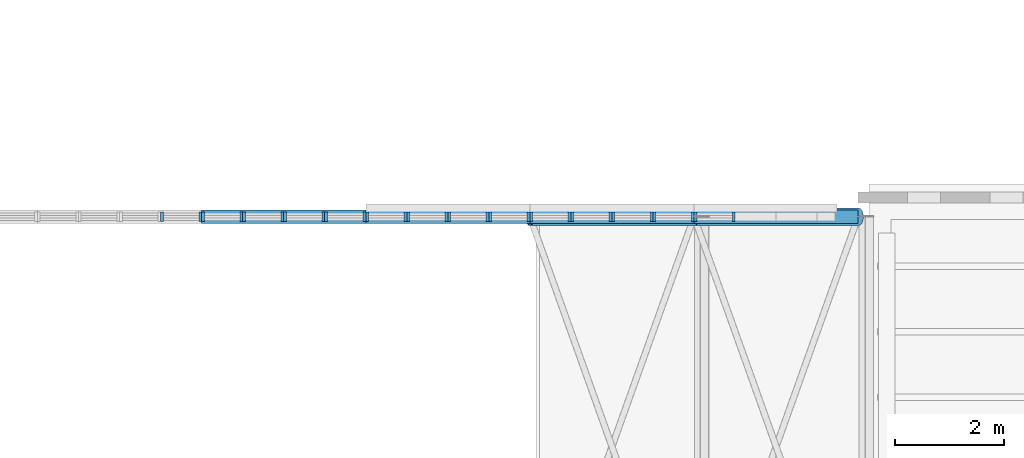
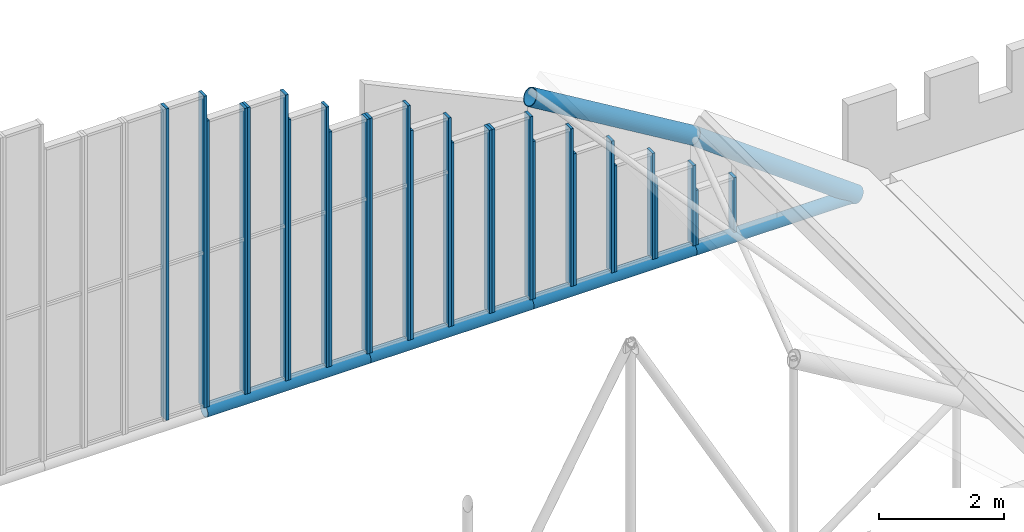
# One storey, part 80 of 153: 34 members, 14 elements without a shape of their own.
"""IFC4 building model written with IfcOpenShell, lengths in metres."""

from ifc_helpers import new_model, si_unit, direction, frame, origin, origin_2d, place, context, subcontext, project, spatial, rectangle, hollow_circle, extrude, material, material_profile, profile_set, type_object, element, aggregate, save


model = new_model("IFC4")

# Units and contexts
model_context = context("Model", 3, precision=1e-05, world=origin(), true_north=direction((0.0, 1.0)))
body_context = subcontext(model_context, "Body", "Model", "MODEL_VIEW")
ifc_project = project(units=[si_unit("LENGTHUNIT", "METRE"), si_unit("AREAUNIT", "SQUARE_METRE"), si_unit("VOLUMEUNIT", "CUBIC_METRE"), si_unit("PLANEANGLEUNIT", "RADIAN"), si_unit("MASSUNIT", "GRAM", prefix="KILO")], contexts=[model_context])

# Site, building, storey
site_placement = place(None, origin())
site = spatial("IfcSite", under=ifc_project, at=site_placement, CompositionType="ELEMENT")
building_placement = place(site_placement, origin())
building = spatial("IfcBuilding", under=site, at=building_placement, Name="Baradari Gate Terminus", CompositionType="ELEMENT")
storey_placement = place(building_placement, frame((0.0, 0.0, 11.699951171875)))
storey = spatial("IfcBuildingStorey", under=building, at=storey_placement, Name="L02", CompositionType="ELEMENT", Elevation=11.699951171875)

# Curtain wall, members
ifc_material_1 = material(Name="Aluminium 6063-T6", Category="aluminium")
curtain_wall_type = type_object("IfcCurtainWallType", Name="Curtain wall CW-60 hall gable glazing", PredefinedType="NOTDEFINED", material=ifc_material_1)
curtain_wall_1_placement = place(storey_placement, origin())
curtain_wall_1 = element("IfcCurtainWall", 1, at=curtain_wall_1_placement, inside=storey, type_object=curtain_wall_type, Name="Hall gable glazing N32", PredefinedType="NOTDEFINED")
ifc_material_2 = material(Name="Aluminium 6063-T6", Category="aluminium")
ifc_material_profile_1 = material_profile(ifc_material_2, rectangle(XDim=0.175048828125, YDim=0.050048828125, at=origin_2d()), Name="CM-60 50X175")
ifc_profile_set_1 = profile_set([ifc_material_profile_1], Name="Aluminium 6063-T6")
member_type_1 = type_object("IfcMemberType", Name="Curtain wall mullion CM-60 50x175", PredefinedType="MULLION", material=ifc_profile_set_1)
member_1_placement = place(storey_placement, frame((158.27490234375, 107.39990234375, 0.234619140625), z_axis=(0.0, 0.0, 1.0), x_axis=(0.0, 1.0, 0.0)))
member_1 = element("IfcMember", 2, at=member_1_placement, type_object=member_type_1, Name="CW-60 mullion 1", PredefinedType="MULLION", context=body_context, shape_type="SweptSolid", body=[
    extrude(rectangle(XDim=0.175048828125, YDim=0.050048828125, at=origin_2d()), origin(), (0.0, 0.0, 1.0), 6.0654296875),
])
member_2_placement = place(storey_placement, frame((158.97509765625, 107.39990234375, 0.234619140625), z_axis=(0.0, 0.0, 1.0), x_axis=(0.0, 1.0, 0.0)))
member_2 = element("IfcMember", 3, at=member_2_placement, type_object=member_type_1, Name="CW-60 mullion 2", PredefinedType="MULLION", context=body_context, shape_type="SweptSolid", body=[
    extrude(rectangle(XDim=0.175048828125, YDim=0.050048828125, at=origin_2d()), origin(), (0.0, 0.0, 1.0), 6.0654296875),
])
aggregate(curtain_wall_1, [member_1, member_2])

curtain_wall_2_placement = place(storey_placement, origin())
curtain_wall_2 = element("IfcCurtainWall", 4, at=curtain_wall_2_placement, inside=storey, type_object=curtain_wall_type, Name="Hall gable glazing N33", PredefinedType="NOTDEFINED")
member_3_placement = place(storey_placement, frame((159.02490234375, 107.39990234375, 0.234619140625), z_axis=(0.0, 0.0, 1.0), x_axis=(0.0, 1.0, 0.0)))
member_3 = element("IfcMember", 5, at=member_3_placement, type_object=member_type_1, Name="CW-60 mullion 1", PredefinedType="MULLION", context=body_context, shape_type="SweptSolid", body=[
    extrude(rectangle(XDim=0.175048828125, YDim=0.050048828125, at=origin_2d()), origin(), (0.0, 0.0, 1.0), 5.5654296875),
])
member_4_placement = place(storey_placement, frame((159.72509765625, 107.39990234375, 0.234619140625), z_axis=(0.0, 0.0, 1.0), x_axis=(0.0, 1.0, 0.0)))
member_4 = element("IfcMember", 6, at=member_4_placement, type_object=member_type_1, Name="CW-60 mullion 2", PredefinedType="MULLION", context=body_context, shape_type="SweptSolid", body=[
    extrude(rectangle(XDim=0.175048828125, YDim=0.050048828125, at=origin_2d()), origin(), (0.0, 0.0, 1.0), 5.5654296875),
])
aggregate(curtain_wall_2, [member_3, member_4])

curtain_wall_3_placement = place(storey_placement, origin())
curtain_wall_3 = element("IfcCurtainWall", 7, at=curtain_wall_3_placement, inside=storey, type_object=curtain_wall_type, Name="Hall gable glazing N34", PredefinedType="NOTDEFINED")
member_5_placement = place(storey_placement, frame((159.77490234375, 107.39990234375, 0.234619140625), z_axis=(0.0, 0.0, 1.0), x_axis=(0.0, 1.0, 0.0)))
member_5 = element("IfcMember", 8, at=member_5_placement, type_object=member_type_1, Name="CW-60 mullion 1", PredefinedType="MULLION", context=body_context, shape_type="SweptSolid", body=[
    extrude(rectangle(XDim=0.175048828125, YDim=0.050048828125, at=origin_2d()), origin(), (0.0, 0.0, 1.0), 5.5654296875),
])
member_6_placement = place(storey_placement, frame((160.47509765625, 107.39990234375, 0.234619140625), z_axis=(0.0, 0.0, 1.0), x_axis=(0.0, 1.0, 0.0)))
member_6 = element("IfcMember", 9, at=member_6_placement, type_object=member_type_1, Name="CW-60 mullion 2", PredefinedType="MULLION", context=body_context, shape_type="SweptSolid", body=[
    extrude(rectangle(XDim=0.175048828125, YDim=0.050048828125, at=origin_2d()), origin(), (0.0, 0.0, 1.0), 5.5654296875),
])
aggregate(curtain_wall_3, [member_5, member_6])

curtain_wall_4_placement = place(storey_placement, origin())
curtain_wall_4 = element("IfcCurtainWall", 10, at=curtain_wall_4_placement, inside=storey, type_object=curtain_wall_type, Name="Hall gable glazing N35", PredefinedType="NOTDEFINED")
member_7_placement = place(storey_placement, frame((160.52490234375, 107.39990234375, 0.234619140625), z_axis=(0.0, 0.0, 1.0), x_axis=(0.0, 1.0, 0.0)))
member_7 = element("IfcMember", 11, at=member_7_placement, type_object=member_type_1, Name="CW-60 mullion 1", PredefinedType="MULLION", context=body_context, shape_type="SweptSolid", body=[
    extrude(rectangle(XDim=0.175048828125, YDim=0.050048828125, at=origin_2d()), origin(), (0.0, 0.0, 1.0), 5.0654296875),
])
member_8_placement = place(storey_placement, frame((161.22509765625, 107.39990234375, 0.234619140625), z_axis=(0.0, 0.0, 1.0), x_axis=(0.0, 1.0, 0.0)))
member_8 = element("IfcMember", 12, at=member_8_placement, type_object=member_type_1, Name="CW-60 mullion 2", PredefinedType="MULLION", context=body_context, shape_type="SweptSolid", body=[
    extrude(rectangle(XDim=0.175048828125, YDim=0.050048828125, at=origin_2d()), origin(), (0.0, 0.0, 1.0), 5.0654296875),
])
aggregate(curtain_wall_4, [member_7, member_8])

curtain_wall_5_placement = place(storey_placement, origin())
curtain_wall_5 = element("IfcCurtainWall", 13, at=curtain_wall_5_placement, inside=storey, type_object=curtain_wall_type, Name="Hall gable glazing N36", PredefinedType="NOTDEFINED")
member_9_placement = place(storey_placement, frame((161.27490234375, 107.39990234375, 0.234619140625), z_axis=(0.0, 0.0, 1.0), x_axis=(0.0, 1.0, 0.0)))
member_9 = element("IfcMember", 14, at=member_9_placement, type_object=member_type_1, Name="CW-60 mullion 1", PredefinedType="MULLION", context=body_context, shape_type="SweptSolid", body=[
    extrude(rectangle(XDim=0.175048828125, YDim=0.050048828125, at=origin_2d()), origin(), (0.0, 0.0, 1.0), 4.5654296875),
])
member_10_placement = place(storey_placement, frame((161.97509765625, 107.39990234375, 0.234619140625), z_axis=(0.0, 0.0, 1.0), x_axis=(0.0, 1.0, 0.0)))
member_10 = element("IfcMember", 15, at=member_10_placement, type_object=member_type_1, Name="CW-60 mullion 2", PredefinedType="MULLION", context=body_context, shape_type="SweptSolid", body=[
    extrude(rectangle(XDim=0.175048828125, YDim=0.050048828125, at=origin_2d()), origin(), (0.0, 0.0, 1.0), 4.5654296875),
])
aggregate(curtain_wall_5, [member_9, member_10])

curtain_wall_6_placement = place(storey_placement, origin())
curtain_wall_6 = element("IfcCurtainWall", 16, at=curtain_wall_6_placement, inside=storey, type_object=curtain_wall_type, Name="Hall gable glazing N37", PredefinedType="NOTDEFINED")
member_11_placement = place(storey_placement, frame((162.02490234375, 107.39990234375, 0.234619140625), z_axis=(0.0, 0.0, 1.0), x_axis=(0.0, 1.0, 0.0)))
member_11 = element("IfcMember", 17, at=member_11_placement, type_object=member_type_1, Name="CW-60 mullion 1", PredefinedType="MULLION", context=body_context, shape_type="SweptSolid", body=[
    extrude(rectangle(XDim=0.175048828125, YDim=0.050048828125, at=origin_2d()), origin(), (0.0, 0.0, 1.0), 4.5654296875),
])
member_12_placement = place(storey_placement, frame((162.72509765625, 107.39990234375, 0.234619140625), z_axis=(0.0, 0.0, 1.0), x_axis=(0.0, 1.0, 0.0)))
member_12 = element("IfcMember", 18, at=member_12_placement, type_object=member_type_1, Name="CW-60 mullion 2", PredefinedType="MULLION", context=body_context, shape_type="SweptSolid", body=[
    extrude(rectangle(XDim=0.175048828125, YDim=0.050048828125, at=origin_2d()), origin(), (0.0, 0.0, 1.0), 4.5654296875),
])
aggregate(curtain_wall_6, [member_11, member_12])

curtain_wall_7_placement = place(storey_placement, origin())
curtain_wall_7 = element("IfcCurtainWall", 19, at=curtain_wall_7_placement, inside=storey, type_object=curtain_wall_type, Name="Hall gable glazing N38", PredefinedType="NOTDEFINED")
member_13_placement = place(storey_placement, frame((162.77490234375, 107.39990234375, 0.234619140625), z_axis=(0.0, 0.0, 1.0), x_axis=(0.0, 1.0, 0.0)))
member_13 = element("IfcMember", 20, at=member_13_placement, type_object=member_type_1, Name="CW-60 mullion 1", PredefinedType="MULLION", context=body_context, shape_type="SweptSolid", body=[
    extrude(rectangle(XDim=0.175048828125, YDim=0.050048828125, at=origin_2d()), origin(), (0.0, 0.0, 1.0), 4.0654296875),
])
member_14_placement = place(storey_placement, frame((163.47509765625, 107.39990234375, 0.234619140625), z_axis=(0.0, 0.0, 1.0), x_axis=(0.0, 1.0, 0.0)))
member_14 = element("IfcMember", 21, at=member_14_placement, type_object=member_type_1, Name="CW-60 mullion 2", PredefinedType="MULLION", context=body_context, shape_type="SweptSolid", body=[
    extrude(rectangle(XDim=0.175048828125, YDim=0.050048828125, at=origin_2d()), origin(), (0.0, 0.0, 1.0), 4.0654296875),
])
aggregate(curtain_wall_7, [member_13, member_14])

curtain_wall_8_placement = place(storey_placement, origin())
curtain_wall_8 = element("IfcCurtainWall", 22, at=curtain_wall_8_placement, inside=storey, type_object=curtain_wall_type, Name="Hall gable glazing N39", PredefinedType="NOTDEFINED")
member_15_placement = place(storey_placement, frame((163.52490234375, 107.39990234375, 0.234619140625), z_axis=(0.0, 0.0, 1.0), x_axis=(0.0, 1.0, 0.0)))
member_15 = element("IfcMember", 23, at=member_15_placement, type_object=member_type_1, Name="CW-60 mullion 1", PredefinedType="MULLION", context=body_context, shape_type="SweptSolid", body=[
    extrude(rectangle(XDim=0.175048828125, YDim=0.050048828125, at=origin_2d()), origin(), (0.0, 0.0, 1.0), 3.5654296875),
])
member_16_placement = place(storey_placement, frame((164.22509765625, 107.39990234375, 0.234619140625), z_axis=(0.0, 0.0, 1.0), x_axis=(0.0, 1.0, 0.0)))
member_16 = element("IfcMember", 24, at=member_16_placement, type_object=member_type_1, Name="CW-60 mullion 2", PredefinedType="MULLION", context=body_context, shape_type="SweptSolid", body=[
    extrude(rectangle(XDim=0.175048828125, YDim=0.050048828125, at=origin_2d()), origin(), (0.0, 0.0, 1.0), 3.5654296875),
])
aggregate(curtain_wall_8, [member_15, member_16])

curtain_wall_9_placement = place(storey_placement, origin())
curtain_wall_9 = element("IfcCurtainWall", 25, at=curtain_wall_9_placement, inside=storey, type_object=curtain_wall_type, Name="Hall gable glazing N40", PredefinedType="NOTDEFINED")
member_17_placement = place(storey_placement, frame((164.27490234375, 107.39990234375, 0.234619140625), z_axis=(0.0, 0.0, 1.0), x_axis=(0.0, 1.0, 0.0)))
member_17 = element("IfcMember", 26, at=member_17_placement, type_object=member_type_1, Name="CW-60 mullion 1", PredefinedType="MULLION", context=body_context, shape_type="SweptSolid", body=[
    extrude(rectangle(XDim=0.175048828125, YDim=0.050048828125, at=origin_2d()), origin(), (0.0, 0.0, 1.0), 3.5654296875),
])
member_18_placement = place(storey_placement, frame((164.97509765625, 107.39990234375, 0.234619140625), z_axis=(0.0, 0.0, 1.0), x_axis=(0.0, 1.0, 0.0)))
member_18 = element("IfcMember", 27, at=member_18_placement, type_object=member_type_1, Name="CW-60 mullion 2", PredefinedType="MULLION", context=body_context, shape_type="SweptSolid", body=[
    extrude(rectangle(XDim=0.175048828125, YDim=0.050048828125, at=origin_2d()), origin(), (0.0, 0.0, 1.0), 3.5654296875),
])
aggregate(curtain_wall_9, [member_17, member_18])

curtain_wall_10_placement = place(storey_placement, origin())
curtain_wall_10 = element("IfcCurtainWall", 28, at=curtain_wall_10_placement, inside=storey, type_object=curtain_wall_type, Name="Hall gable glazing N41", PredefinedType="NOTDEFINED")
member_19_placement = place(storey_placement, frame((165.02490234375, 107.39990234375, 0.234619140625), z_axis=(0.0, 0.0, 1.0), x_axis=(0.0, 1.0, 0.0)))
member_19 = element("IfcMember", 29, at=member_19_placement, type_object=member_type_1, Name="CW-60 mullion 1", PredefinedType="MULLION", context=body_context, shape_type="SweptSolid", body=[
    extrude(rectangle(XDim=0.175048828125, YDim=0.050048828125, at=origin_2d()), origin(), (0.0, 0.0, 1.0), 3.0654296875),
])
member_20_placement = place(storey_placement, frame((165.72509765625, 107.39990234375, 0.234619140625), z_axis=(0.0, 0.0, 1.0), x_axis=(0.0, 1.0, 0.0)))
member_20 = element("IfcMember", 30, at=member_20_placement, type_object=member_type_1, Name="CW-60 mullion 2", PredefinedType="MULLION", context=body_context, shape_type="SweptSolid", body=[
    extrude(rectangle(XDim=0.175048828125, YDim=0.050048828125, at=origin_2d()), origin(), (0.0, 0.0, 1.0), 3.0654296875),
])
aggregate(curtain_wall_10, [member_19, member_20])

curtain_wall_11_placement = place(storey_placement, origin())
curtain_wall_11 = element("IfcCurtainWall", 31, at=curtain_wall_11_placement, inside=storey, type_object=curtain_wall_type, Name="Hall gable glazing N42", PredefinedType="NOTDEFINED")
member_21_placement = place(storey_placement, frame((165.77490234375, 107.39990234375, 0.234619140625), z_axis=(0.0, 0.0, 1.0), x_axis=(0.0, 1.0, 0.0)))
member_21 = element("IfcMember", 32, at=member_21_placement, type_object=member_type_1, Name="CW-60 mullion 1", PredefinedType="MULLION", context=body_context, shape_type="SweptSolid", body=[
    extrude(rectangle(XDim=0.175048828125, YDim=0.050048828125, at=origin_2d()), origin(), (0.0, 0.0, 1.0), 2.5654296875),
])
member_22_placement = place(storey_placement, frame((166.47509765625, 107.39990234375, 0.234619140625), z_axis=(0.0, 0.0, 1.0), x_axis=(0.0, 1.0, 0.0)))
member_22 = element("IfcMember", 33, at=member_22_placement, type_object=member_type_1, Name="CW-60 mullion 2", PredefinedType="MULLION", context=body_context, shape_type="SweptSolid", body=[
    extrude(rectangle(XDim=0.175048828125, YDim=0.050048828125, at=origin_2d()), origin(), (0.0, 0.0, 1.0), 2.5654296875),
])
aggregate(curtain_wall_11, [member_21, member_22])

curtain_wall_12_placement = place(storey_placement, origin())
curtain_wall_12 = element("IfcCurtainWall", 34, at=curtain_wall_12_placement, inside=storey, type_object=curtain_wall_type, Name="Hall gable glazing N43", PredefinedType="NOTDEFINED")
member_23_placement = place(storey_placement, frame((166.52490234375, 107.39990234375, 0.234619140625), z_axis=(0.0, 0.0, 1.0), x_axis=(0.0, 1.0, 0.0)))
member_23 = element("IfcMember", 35, at=member_23_placement, type_object=member_type_1, Name="CW-60 mullion 1", PredefinedType="MULLION", context=body_context, shape_type="SweptSolid", body=[
    extrude(rectangle(XDim=0.175048828125, YDim=0.050048828125, at=origin_2d()), origin(), (0.0, 0.0, 1.0), 2.0654296875),
])
member_24_placement = place(storey_placement, frame((167.22509765625, 107.39990234375, 0.234619140625), z_axis=(0.0, 0.0, 1.0), x_axis=(0.0, 1.0, 0.0)))
member_24 = element("IfcMember", 36, at=member_24_placement, type_object=member_type_1, Name="CW-60 mullion 2", PredefinedType="MULLION", context=body_context, shape_type="SweptSolid", body=[
    extrude(rectangle(XDim=0.175048828125, YDim=0.050048828125, at=origin_2d()), origin(), (0.0, 0.0, 1.0), 2.0654296875),
])
aggregate(curtain_wall_12, [member_23, member_24])

curtain_wall_13_placement = place(storey_placement, origin())
curtain_wall_13 = element("IfcCurtainWall", 37, at=curtain_wall_13_placement, inside=storey, type_object=curtain_wall_type, Name="Hall gable glazing N44", PredefinedType="NOTDEFINED")
member_25_placement = place(storey_placement, frame((167.27490234375, 107.39990234375, 0.234619140625), z_axis=(0.0, 0.0, 1.0), x_axis=(0.0, 1.0, 0.0)))
member_25 = element("IfcMember", 38, at=member_25_placement, type_object=member_type_1, Name="CW-60 mullion 1", PredefinedType="MULLION", context=body_context, shape_type="SweptSolid", body=[
    extrude(rectangle(XDim=0.175048828125, YDim=0.050048828125, at=origin_2d()), origin(), (0.0, 0.0, 1.0), 1.5654296875),
])
member_26_placement = place(storey_placement, frame((167.97509765625, 107.39990234375, 0.234619140625), z_axis=(0.0, 0.0, 1.0), x_axis=(0.0, 1.0, 0.0)))
member_26 = element("IfcMember", 39, at=member_26_placement, type_object=member_type_1, Name="CW-60 mullion 2", PredefinedType="MULLION", context=body_context, shape_type="SweptSolid", body=[
    extrude(rectangle(XDim=0.175048828125, YDim=0.050048828125, at=origin_2d()), origin(), (0.0, 0.0, 1.0), 1.5654296875),
])
aggregate(curtain_wall_13, [member_25, member_26])

curtain_wall_14_placement = place(storey_placement, origin())
curtain_wall_14 = element("IfcCurtainWall", 40, at=curtain_wall_14_placement, inside=storey, type_object=curtain_wall_type, Name="Hall gable glazing N45", PredefinedType="NOTDEFINED")
member_27_placement = place(storey_placement, frame((168.02490234375, 107.39990234375, 0.234619140625), z_axis=(0.0, 0.0, 1.0), x_axis=(0.0, 1.0, 0.0)))
member_27 = element("IfcMember", 41, at=member_27_placement, type_object=member_type_1, Name="CW-60 mullion 1", PredefinedType="MULLION", context=body_context, shape_type="SweptSolid", body=[
    extrude(rectangle(XDim=0.175048828125, YDim=0.050048828125, at=origin_2d()), origin(), (0.0, 0.0, 1.0), 1.0654296875),
])
member_28_placement = place(storey_placement, frame((168.72509765625, 107.39990234375, 0.234619140625), z_axis=(0.0, 0.0, 1.0), x_axis=(0.0, 1.0, 0.0)))
member_28 = element("IfcMember", 42, at=member_28_placement, type_object=member_type_1, Name="CW-60 mullion 2", PredefinedType="MULLION", context=body_context, shape_type="SweptSolid", body=[
    extrude(rectangle(XDim=0.175048828125, YDim=0.050048828125, at=origin_2d()), origin(), (0.0, 0.0, 1.0), 1.0654296875),
])
aggregate(curtain_wall_14, [member_27, member_28])

# Members
ifc_material_3 = material(Name="Steel S355", Category="steel")
ifc_material_profile_2 = material_profile(ifc_material_3, hollow_circle(Radius=0.122314453125, WallThickness=0.010009765625, at=origin_2d()), Name="CHS 244.5x10")
ifc_profile_set_2 = profile_set([ifc_material_profile_2], Name="Steel S355")
member_type_2 = type_object("IfcMemberType", Name="Hall vault tie CHS 244.5x10", PredefinedType="CHORD", material=ifc_profile_set_2)
for number, where, z_axis, x_axis, name in (
    (43, (159.0, 107.39990234375, 0.122314453125), (1.0, 0.0, 0.0), (0.0, 1.0, 0.0), "TR/L02/VT4-BC08"),
    (44, (162.0, 107.39990234375, 0.122314453125), (1.0, 0.0, 0.0), (0.0, 1.0, 0.0), "TR/L02/VT4-BC09"),
    (45, (165.0, 107.39990234375, 0.122314453125), (1.0, 0.0, 0.0), (0.0, 1.0, 0.0), "TR/L02/VT4-BC10"),
    (46, (168.0, 107.39990234375, 0.122314453125), (1.0, 0.0, 0.0), (0.0, 1.0, 0.0), "TR/L02/VT4-BC11"),
):
    element("IfcMember", number, at=place(storey_placement, frame(where, z_axis=z_axis, x_axis=x_axis)), inside=storey, type_object=member_type_2, Name=name, PredefinedType="CHORD", context=body_context, shape_type="SweptSolid", body=[
        extrude(hollow_circle(Radius=0.122314453125, WallThickness=0.010009765625, at=origin_2d()), origin(), (0.0, 0.0, 1.0), 3.0),
    ])
ifc_material_4 = material(Name="Steel S355", Category="steel")
ifc_material_profile_3 = material_profile(ifc_material_4, hollow_circle(Radius=0.161865234375, WallThickness=0.012451171875, at=origin_2d()), Name="CHS 323.9x12.5")
ifc_profile_set_3 = profile_set([ifc_material_profile_3], Name="Steel S355")
member_type_3 = type_object("IfcMemberType", Name="Hall vault top chord CHS 323.9x12.5", PredefinedType="CHORD", material=ifc_profile_set_3)
member_29_placement = place(storey_placement, frame((165.0, 107.39990234375, 4.122314453125), z_axis=(0.857486768376, 0.0, -0.514506017516), x_axis=(0.0, 1.0, 0.0)))
element("IfcMember", 47, at=member_29_placement, inside=storey, type_object=member_type_3, Name="TR/L02/VT4-TC10", PredefinedType="CHORD", context=body_context, shape_type="SweptSolid", body=[
    extrude(hollow_circle(Radius=0.161865234375, WallThickness=0.012451171875, at=origin_2d()), origin(), (0.0, 0.0, 1.0), 3.49853515625),
])
member_30_placement = place(storey_placement, frame((168.0, 107.39990234375, 2.322265625), z_axis=(0.80641125493, 0.0, -0.591355128432), x_axis=(0.0, 1.0, 0.0)))
element("IfcMember", 48, at=member_30_placement, inside=storey, type_object=member_type_3, Name="TR/L02/VT4-TC11", PredefinedType="CHORD", context=body_context, shape_type="SweptSolid", body=[
    extrude(hollow_circle(Radius=0.161865234375, WallThickness=0.012451171875, at=origin_2d()), origin(), (0.0, 0.0, 1.0), 3.72021484375),
])

save(model, "model.ifc")
